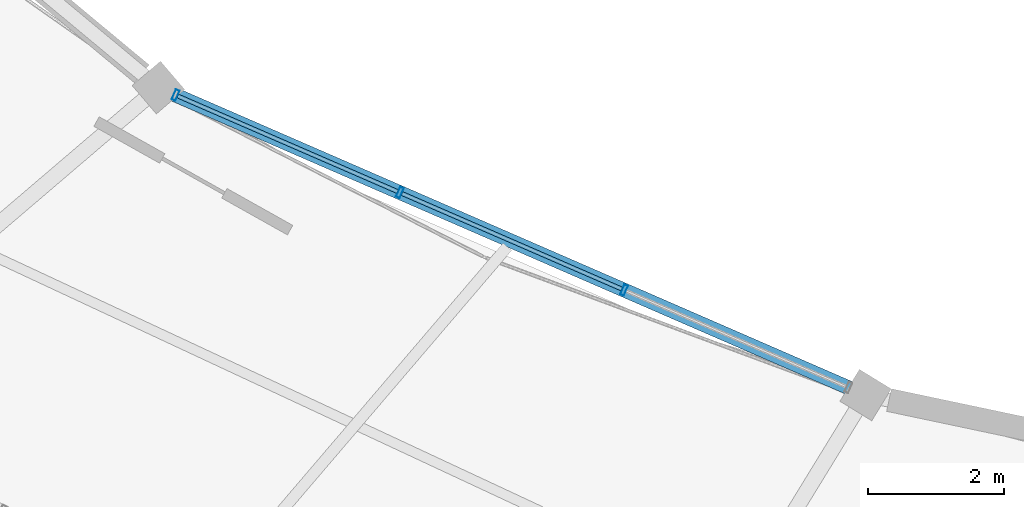
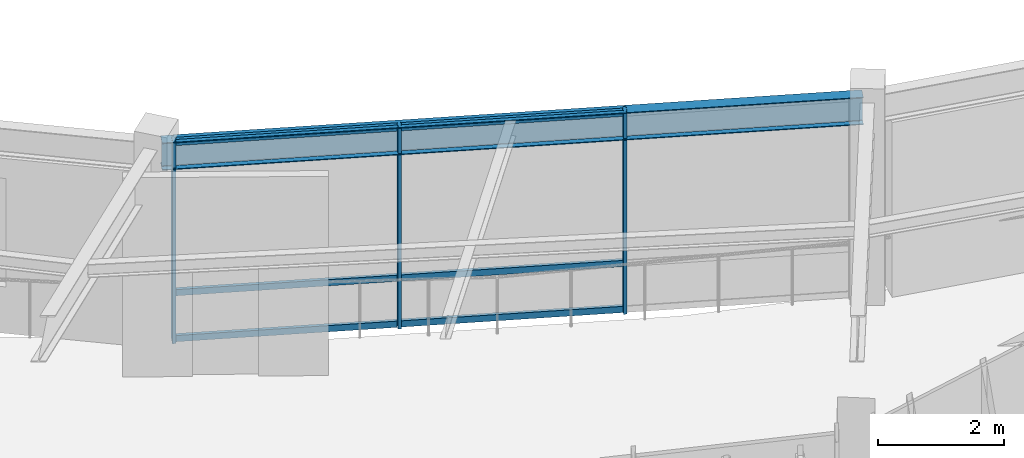
# One storey, part 16 of 83: 9 members, 1 beam, 1 element without a shape of its own.
"""IFC4 building model written with IfcOpenShell, lengths in metres."""

from ifc_helpers import new_model, si_unit, direction, frame, origin, origin_2d, place, context, subcontext, project, spatial, hollow_rectangle, i_section, extrude, material, material_profile, profile_set, type_object, element, aggregate, save


model = new_model("IFC4")

# Units and contexts
model_context = context("Model", 3, precision=1e-05, world=origin(), true_north=direction((0.0, 1.0)))
body_context = subcontext(model_context, "Body", "Model", "MODEL_VIEW")
ifc_project = project(units=[si_unit("LENGTHUNIT", "METRE"), si_unit("AREAUNIT", "SQUARE_METRE"), si_unit("VOLUMEUNIT", "CUBIC_METRE"), si_unit("PLANEANGLEUNIT", "RADIAN"), si_unit("MASSUNIT", "GRAM", prefix="KILO"), si_unit("THERMODYNAMICTEMPERATUREUNIT", "KELVIN"), si_unit("POWERUNIT", "WATT")], contexts=[model_context])

# Site, building, storey
site_placement = place(None, origin())
site = spatial("IfcSite", under=ifc_project, at=site_placement, CompositionType="ELEMENT")
building_placement = place(site_placement, origin())
building = spatial("IfcBuilding", under=site, at=building_placement, Name="Darbajah Civic Hall", CompositionType="ELEMENT")
storey_placement = place(building_placement, frame((0.0, 0.0, 18.0)))
storey = spatial("IfcBuildingStorey", under=building, at=storey_placement, Name="L04", CompositionType="ELEMENT", Elevation=18.0)

# Curtain wall, members
ifc_material_1 = material(Name="Anodised Bronze Aluminium and Low-E Glazing", Category="aluminium")
curtain_wall_type = type_object("IfcCurtainWallType", Name="Unitised Curtain Wall CW-39 10800x3900", PredefinedType="USERDEFINED", material=ifc_material_1)
curtain_wall_placement = place(storey_placement, origin())
curtain_wall = element("IfcCurtainWall", 1, at=curtain_wall_placement, inside=storey, type_object=curtain_wall_type, Name="L04 unitised curtain wall CW-V1I-L04-12", ObjectType="UNITISED CURTAIN WALL", PredefinedType="USERDEFINED")
ifc_material_2 = material(Name="Anodised Bronze Aluminium", Category="aluminium")
ifc_material_profile_1 = material_profile(ifc_material_2, hollow_rectangle(XDim=0.06005859375, YDim=0.159912109375, WallThickness=0.00341796875, at=origin_2d()), Name="ALU MULLION 60x160")
ifc_profile_set_1 = profile_set([ifc_material_profile_1], Name="Anodised Bronze Aluminium")
member_type_1 = type_object("IfcMemberType", Name="ALU MULLION 60x160", PredefinedType="MULLION", material=ifc_profile_set_1)
member_1_placement = place(storey_placement, frame((56.048095703125, 75.206787109375, 0.0), z_axis=(0.0, 0.0, 1.0), x_axis=(0.917060074385, -0.398749068925, 0.0)))
member_1 = element("IfcMember", 2, at=member_1_placement, type_object=member_type_1, Name="CW-V1I-L04-12 mullion 1", PredefinedType="MULLION", context=body_context, shape_type="SweptSolid", body=[
    extrude(hollow_rectangle(XDim=0.06005859375, YDim=0.159912109375, WallThickness=0.00341796875, at=origin_2d()), origin(), (0.0, 0.0, 1.0), 3.919921875),
])
member_2_placement = place(storey_placement, frame((59.352294921875, 73.77001953125, 0.0), z_axis=(0.0, 0.0, 1.0), x_axis=(0.917060074385, -0.398749068925, 0.0)))
member_2 = element("IfcMember", 3, at=member_2_placement, type_object=member_type_1, Name="CW-V1I-L04-12 mullion 2", PredefinedType="MULLION", context=body_context, shape_type="SweptSolid", body=[
    extrude(hollow_rectangle(XDim=0.06005859375, YDim=0.159912109375, WallThickness=0.00341796875, at=origin_2d()), origin(), (0.0, 0.0, 1.0), 3.919921875),
])
member_3_placement = place(storey_placement, frame((62.656494140625, 72.333251953125, 0.0), z_axis=(0.0, 0.0, 1.0), x_axis=(0.917060074385, -0.398749068925, 0.0)))
member_3 = element("IfcMember", 4, at=member_3_placement, type_object=member_type_1, Name="CW-V1I-L04-12 mullion 3", PredefinedType="MULLION", context=body_context, shape_type="SweptSolid", body=[
    extrude(hollow_rectangle(XDim=0.06005859375, YDim=0.159912109375, WallThickness=0.00341796875, at=origin_2d()), origin(), (0.0, 0.0, 1.0), 3.919921875),
])
ifc_material_profile_2 = material_profile(ifc_material_2, hollow_rectangle(XDim=0.06005859375, YDim=0.1201171875, WallThickness=0.003173828125, at=origin_2d()), Name="ALU TRANSOM 60x120")
ifc_profile_set_2 = profile_set([ifc_material_profile_2], Name="Anodised Bronze Aluminium")
member_type_2 = type_object("IfcMemberType", Name="ALU TRANSOM 60x120", PredefinedType="USERDEFINED", material=ifc_profile_set_2)
member_4_placement = place(storey_placement, frame((56.080322265625, 75.19287109375, 0.06005859375), z_axis=(0.917044786806, -0.398784226106, 0.0), x_axis=(0.398784226106, 0.917044786806, 0.0)))
member_4 = element("IfcMember", 5, at=member_4_placement, type_object=member_type_2, Name="CW-V1I-L04-12 transom 1.1", ObjectType="TRANSOM", PredefinedType="USERDEFINED", context=body_context, shape_type="SweptSolid", body=[
    extrude(hollow_rectangle(XDim=0.06005859375, YDim=0.1201171875, WallThickness=0.003173828125, at=origin_2d()), origin(), (0.0, 0.0, 1.0), 3.532958984375),
])
member_5_placement = place(storey_placement, frame((56.080322265625, 75.19287109375, 0.949951171875), z_axis=(0.917044786806, -0.398784226106, 0.0), x_axis=(0.398784226106, 0.917044786806, 0.0)))
member_5 = element("IfcMember", 6, at=member_5_placement, type_object=member_type_2, Name="CW-V1I-L04-12 transom 1.2", ObjectType="TRANSOM", PredefinedType="USERDEFINED", context=body_context, shape_type="SweptSolid", body=[
    extrude(hollow_rectangle(XDim=0.06005859375, YDim=0.1201171875, WallThickness=0.003173828125, at=origin_2d()), origin(), (0.0, 0.0, 1.0), 3.532958984375),
])
member_6_placement = place(storey_placement, frame((56.080322265625, 75.19287109375, 3.860107421875), z_axis=(0.917044786806, -0.398784226106, 0.0), x_axis=(0.398784226106, 0.917044786806, 0.0)))
member_6 = element("IfcMember", 7, at=member_6_placement, type_object=member_type_2, Name="CW-V1I-L04-12 transom 1.3", ObjectType="TRANSOM", PredefinedType="USERDEFINED", context=body_context, shape_type="SweptSolid", body=[
    extrude(hollow_rectangle(XDim=0.06005859375, YDim=0.1201171875, WallThickness=0.003173828125, at=origin_2d()), origin(), (0.0, 0.0, 1.0), 3.532958984375),
])
member_7_placement = place(storey_placement, frame((59.384521484375, 73.756103515625, 0.06005859375), z_axis=(0.917070056253, -0.398726111414, 0.0), x_axis=(0.398726111414, 0.917070056253, 0.0)))
member_7 = element("IfcMember", 8, at=member_7_placement, type_object=member_type_2, Name="CW-V1I-L04-12 transom 2.1", ObjectType="TRANSOM", PredefinedType="USERDEFINED", context=body_context, shape_type="SweptSolid", body=[
    extrude(hollow_rectangle(XDim=0.06005859375, YDim=0.1201171875, WallThickness=0.003173828125, at=origin_2d()), origin(), (0.0, 0.0, 1.0), 3.532958984375),
])
member_8_placement = place(storey_placement, frame((59.384521484375, 73.756103515625, 0.949951171875), z_axis=(0.917070056253, -0.398726111414, 0.0), x_axis=(0.398726111414, 0.917070056253, 0.0)))
member_8 = element("IfcMember", 9, at=member_8_placement, type_object=member_type_2, Name="CW-V1I-L04-12 transom 2.2", ObjectType="TRANSOM", PredefinedType="USERDEFINED", context=body_context, shape_type="SweptSolid", body=[
    extrude(hollow_rectangle(XDim=0.06005859375, YDim=0.1201171875, WallThickness=0.003173828125, at=origin_2d()), origin(), (0.0, 0.0, 1.0), 3.532958984375),
])
member_9_placement = place(storey_placement, frame((59.384521484375, 73.756103515625, 3.860107421875), z_axis=(0.917070056253, -0.398726111414, 0.0), x_axis=(0.398726111414, 0.917070056253, 0.0)))
member_9 = element("IfcMember", 10, at=member_9_placement, type_object=member_type_2, Name="CW-V1I-L04-12 transom 2.3", ObjectType="TRANSOM", PredefinedType="USERDEFINED", context=body_context, shape_type="SweptSolid", body=[
    extrude(hollow_rectangle(XDim=0.06005859375, YDim=0.1201171875, WallThickness=0.003173828125, at=origin_2d()), origin(), (0.0, 0.0, 1.0), 3.532958984375),
])
aggregate(curtain_wall, [member_1, member_2, member_3, member_4, member_5, member_6, member_7, member_8, member_9])

# Beam
ifc_material_3 = material(Name="Steel S355JR", Category="steel")
ifc_material_profile_3 = material_profile(ifc_material_3, i_section(OverallWidth=0.209228515625, OverallDepth=0.533203125, WebThickness=0.010009765625, FlangeThickness=0.015625, FilletRadius=0.0126953125, at=origin_2d()), Name="UB 533x210x92")
ifc_profile_set_3 = profile_set([ifc_material_profile_3], Name="Steel S355JR")
beam_type = type_object("IfcBeamType", Name="UB 533x210x92", PredefinedType="BEAM", material=ifc_profile_set_3)
beam_placement = place(storey_placement, frame((55.86767578125, 75.285400390625, 3.653564453125), z_axis=(0.917051345793, -0.398769142712, 0.0), x_axis=(0.398769142712, 0.917051345793, 0.0)))
element("IfcBeam", 11, at=beam_placement, inside=storey, type_object=beam_type, Name="L04 beam SB-533", PredefinedType="BEAM", context=body_context, shape_type="SweptSolid", body=[
    extrude(i_section(OverallWidth=0.209228515625, OverallDepth=0.533203125, WebThickness=0.010009765625, FlangeThickness=0.015625, FilletRadius=0.0126953125, at=origin_2d()), origin(), (0.0, 0.0, 1.0), 11.20263671875),
])

save(model, "model.ifc")
